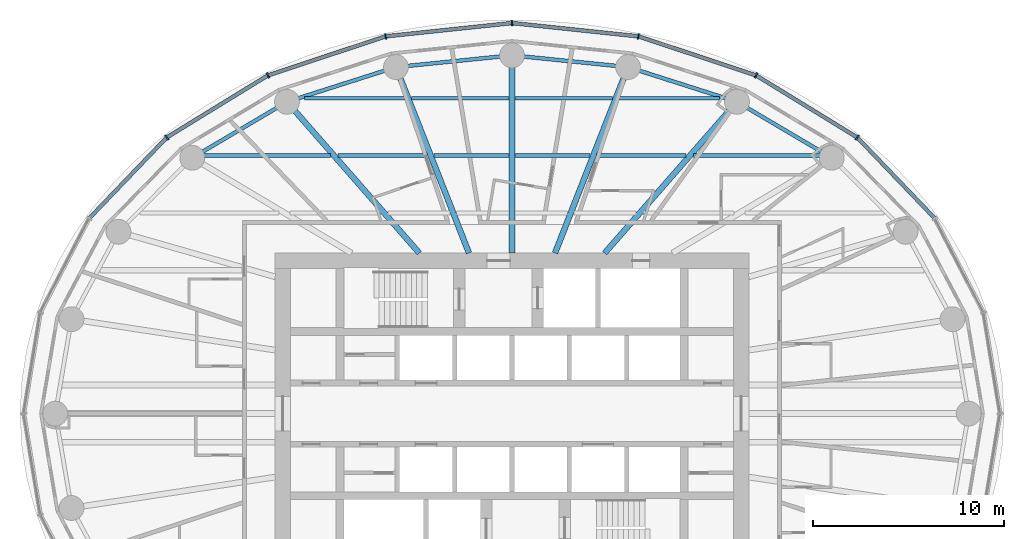
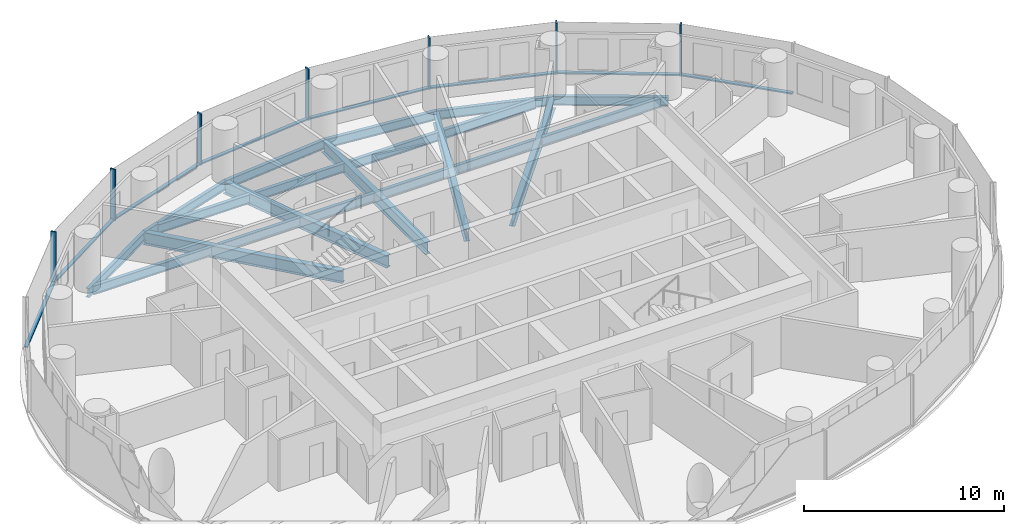
# One storey, part 4 of 13: 21 beams, 15 members, 2 elements without a shape of their own.
"""IFC4 building model written with IfcOpenShell, lengths in metres."""

from ifc_helpers import new_model, si_unit, direction, frame, origin, origin_2d, place, context, subcontext, project, spatial, rectangle, i_section, extrude, material, material_profile, profile_set, type_object, element, aggregate, save


model = new_model("IFC4")

# Units and contexts
model_context = context("Model", 3, precision=1e-05, world=origin(), true_north=direction((0.0, 1.0)))
body_context = subcontext(model_context, "Body", "Model", "MODEL_VIEW")
ifc_project = project(units=[si_unit("LENGTHUNIT", "METRE"), si_unit("AREAUNIT", "SQUARE_METRE"), si_unit("VOLUMEUNIT", "CUBIC_METRE"), si_unit("PLANEANGLEUNIT", "RADIAN"), si_unit("MASSUNIT", "GRAM", prefix="KILO")], contexts=[model_context])

# Site, building, storey
site_placement = place(None, origin())
site = spatial("IfcSite", under=ifc_project, at=site_placement, CompositionType="ELEMENT")
building_placement = place(site_placement, origin())
building = spatial("IfcBuilding", under=site, at=building_placement, Name="Hankou Lantern Tower", CompositionType="ELEMENT")
storey_placement = place(building_placement, frame((0.0, 0.0, 122.10009765625)))
storey = spatial("IfcBuildingStorey", under=building, at=storey_placement, Name="L31", CompositionType="ELEMENT", Elevation=122.10009765625)

# Beams
ifc_material_1 = material(Name="Steel Q355B", Category="steel")
ifc_material_profile_1 = material_profile(ifc_material_1, i_section(OverallWidth=0.199951171875, OverallDepth=0.550048828125, WebThickness=0.010009765625, FlangeThickness=0.01611328125, FilletRadius=0.012939453125, at=origin_2d()), Name="HN550x200x10x16")
ifc_profile_set_1 = profile_set([ifc_material_profile_1], Name="Steel Q355B")
beam_type_1 = type_object("IfcBeamType", Name="EB6 RING BEAM HN550x200x10x16", PredefinedType="SPANDREL", material=ifc_profile_set_1)
beam_1_placement = place(storey_placement, frame((16.73388671875, 13.38720703125, -0.455078125), z_axis=(-0.860988974188, 0.508623619513, 0.0), x_axis=(-0.508623619513, -0.860988974188, 0.0)))
element("IfcBeam", 1, at=beam_1_placement, inside=storey, type_object=beam_type_1, Name="Ring beam R04-R05 L31", PredefinedType="SPANDREL", context=body_context, shape_type="SweptSolid", body=[
    extrude(i_section(OverallWidth=0.199951171875, OverallDepth=0.550048828125, WebThickness=0.010009765625, FlangeThickness=0.01611328125, FilletRadius=0.012939453125, at=origin_2d()), origin(), (0.0, 0.0, 1.0), 5.759033203125),
])
beam_2_placement = place(storey_placement, frame((11.775390625, 16.31640625, -0.455078125), z_axis=(-0.952731090451, 0.303814860215, 0.0), x_axis=(-0.303814860215, -0.952731090451, 0.0)))
element("IfcBeam", 2, at=beam_2_placement, inside=storey, type_object=beam_type_1, Name="Ring beam R05-R06 L31", PredefinedType="SPANDREL", context=body_context, shape_type="SweptSolid", body=[
    extrude(i_section(OverallWidth=0.199951171875, OverallDepth=0.550048828125, WebThickness=0.010009765625, FlangeThickness=0.01611328125, FilletRadius=0.012939453125, at=origin_2d()), origin(), (0.0, 0.0, 1.0), 5.984375),
])
for number, where, z_axis, x_axis, name in (
    (3, (6.073974609375, 18.134521484375, -0.455078125), (-0.994905271594, 0.100814188259, 0.0), (-0.100814188259, -0.994905271594, 0.0), "Ring beam R06-R07 L31"),
    (4, (0.0, 18.75, -0.455078125), (-0.994905271594, -0.100814188259, 0.0), (0.100814188259, -0.994905271594, 0.0), "Ring beam R07-R08 L31"),
):
    element("IfcBeam", number, at=place(storey_placement, frame(where, z_axis=z_axis, x_axis=x_axis)), inside=storey, type_object=beam_type_1, Name=name, PredefinedType="SPANDREL", context=body_context, shape_type="SweptSolid", body=[
        extrude(i_section(OverallWidth=0.199951171875, OverallDepth=0.550048828125, WebThickness=0.010009765625, FlangeThickness=0.01611328125, FilletRadius=0.012939453125, at=origin_2d()), origin(), (0.0, 0.0, 1.0), 6.10498046875),
    ])
beam_3_placement = place(storey_placement, frame((-6.073974609375, 18.134521484375, -0.455078125), z_axis=(-0.952731090451, -0.303814860215, 0.0), x_axis=(0.303814860215, -0.952731090451, 0.0)))
element("IfcBeam", 5, at=beam_3_placement, inside=storey, type_object=beam_type_1, Name="Ring beam R08-R09 L31", PredefinedType="SPANDREL", context=body_context, shape_type="SweptSolid", body=[
    extrude(i_section(OverallWidth=0.199951171875, OverallDepth=0.550048828125, WebThickness=0.010009765625, FlangeThickness=0.01611328125, FilletRadius=0.012939453125, at=origin_2d()), origin(), (0.0, 0.0, 1.0), 5.984375),
])
beam_4_placement = place(storey_placement, frame((-11.775390625, 16.31640625, -0.455078125), z_axis=(-0.860988974188, -0.508623619513, 0.0), x_axis=(0.508623619513, -0.860988974188, 0.0)))
element("IfcBeam", 6, at=beam_4_placement, inside=storey, type_object=beam_type_1, Name="Ring beam R09-R10 L31", PredefinedType="SPANDREL", context=body_context, shape_type="SweptSolid", body=[
    extrude(i_section(OverallWidth=0.199951171875, OverallDepth=0.550048828125, WebThickness=0.010009765625, FlangeThickness=0.01611328125, FilletRadius=0.012939453125, at=origin_2d()), origin(), (0.0, 0.0, 1.0), 5.759033203125),
])

# Curtain wall, members
ifc_material_2 = material(Name="Glass, dark grey tinted laminated", Category="glass")
curtain_wall_type = type_object("IfcCurtainWallType", Name="CWB OUTER SKIN MID-RISE", PredefinedType="USERDEFINED", material=ifc_material_2)
curtain_wall_1_placement = place(storey_placement, origin())
curtain_wall_1 = element("IfcCurtainWall", 7, at=curtain_wall_1_placement, inside=storey, type_object=curtain_wall_type, Name="CWB L31 OS1", ObjectType="OUTER SKIN MID-RISE", PredefinedType="USERDEFINED")
ifc_material_3 = material(Name="Aluminium, black anodised", Category="aluminium")
ifc_material_profile_2 = material_profile(ifc_material_3, rectangle(XDim=0.080078125, YDim=0.300048828125, at=origin_2d()), Name="MU1 80X300")
ifc_profile_set_2 = profile_set([ifc_material_profile_2], Name="Aluminium, black anodised")
member_type_1 = type_object("IfcMemberType", Name="MU1 OUTER SKIN MULLION 80X300", PredefinedType="MULLION", material=ifc_profile_set_2)
member_1_placement = place(storey_placement, frame((18.066650390625, 14.453369140625, 0.0), z_axis=(0.0, 0.0, 1.0), x_axis=(-0.780868809444, 0.624695047553, 0.0)))
member_1 = element("IfcMember", 8, at=member_1_placement, type_object=member_type_1, Name="CWB mullion 4", PredefinedType="MULLION", context=body_context, shape_type="SweptSolid", body=[
    extrude(rectangle(XDim=0.080078125, YDim=0.300048828125, at=origin_2d()), origin(), (0.0, 0.0, 1.0), 3.119873046875),
])
member_2_placement = place(storey_placement, frame((12.77490234375, 17.70166015625, 0.0), z_axis=(0.0, 0.0, 1.0), x_axis=(-0.907841299004, 0.419313934686, 0.0)))
member_2 = element("IfcMember", 9, at=member_2_placement, type_object=member_type_1, Name="CWB mullion 5", PredefinedType="MULLION", context=body_context, shape_type="SweptSolid", body=[
    extrude(rectangle(XDim=0.080078125, YDim=0.300048828125, at=origin_2d()), origin(), (0.0, 0.0, 1.0), 3.119873046875),
])
member_3_placement = place(storey_placement, frame((6.61279296875, 19.743408203125, 0.0), z_axis=(0.0, 0.0, 1.0), x_axis=(-0.977787659625, 0.209597931016, 0.0)))
member_3 = element("IfcMember", 10, at=member_3_placement, type_object=member_type_1, Name="CWB mullion 6", PredefinedType="MULLION", context=body_context, shape_type="SweptSolid", body=[
    extrude(rectangle(XDim=0.080078125, YDim=0.300048828125, at=origin_2d()), origin(), (0.0, 0.0, 1.0), 3.119873046875),
])

curtain_wall_2_placement = place(storey_placement, origin())
curtain_wall_2 = element("IfcCurtainWall", 11, at=curtain_wall_2_placement, inside=storey, type_object=curtain_wall_type, Name="CWB L31 OS2", ObjectType="OUTER SKIN MID-RISE", PredefinedType="USERDEFINED")
member_4_placement = place(storey_placement, frame((0.0, 20.43994140625, 0.0), z_axis=(0.0, 0.0, 1.0), x_axis=(-0.994499359107, -0.104742659579, 0.0)))
member_4 = element("IfcMember", 12, at=member_4_placement, type_object=member_type_1, Name="CWB mullion 1", PredefinedType="MULLION", context=body_context, shape_type="SweptSolid", body=[
    extrude(rectangle(XDim=0.080078125, YDim=0.300048828125, at=origin_2d()), origin(), (0.0, 0.0, 1.0), 3.119873046875),
])
member_5_placement = place(storey_placement, frame((-6.61279296875, 19.743408203125, 0.0), z_axis=(0.0, 0.0, 1.0), x_axis=(-0.977787659625, -0.209597931016, 0.0)))
member_5 = element("IfcMember", 13, at=member_5_placement, type_object=member_type_1, Name="CWB mullion 2", PredefinedType="MULLION", context=body_context, shape_type="SweptSolid", body=[
    extrude(rectangle(XDim=0.080078125, YDim=0.300048828125, at=origin_2d()), origin(), (0.0, 0.0, 1.0), 3.119873046875),
])
member_6_placement = place(storey_placement, frame((-12.77490234375, 17.70166015625, 0.0), z_axis=(0.0, 0.0, 1.0), x_axis=(-0.907841299004, -0.419313934686, 0.0)))
member_6 = element("IfcMember", 14, at=member_6_placement, type_object=member_type_1, Name="CWB mullion 3", PredefinedType="MULLION", context=body_context, shape_type="SweptSolid", body=[
    extrude(rectangle(XDim=0.080078125, YDim=0.300048828125, at=origin_2d()), origin(), (0.0, 0.0, 1.0), 3.119873046875),
])
member_7_placement = place(storey_placement, frame((-18.066650390625, 14.453369140625, 0.0), z_axis=(0.0, 0.0, 1.0), x_axis=(-0.780868809444, -0.624695047553, 0.0)))
member_7 = element("IfcMember", 15, at=member_7_placement, type_object=member_type_1, Name="CWB mullion 4", PredefinedType="MULLION", context=body_context, shape_type="SweptSolid", body=[
    extrude(rectangle(XDim=0.080078125, YDim=0.300048828125, at=origin_2d()), origin(), (0.0, 0.0, 1.0), 3.119873046875),
])

# Beams
ifc_material_4 = material(Name="Steel Q355B", Category="steel")
ifc_material_profile_3 = material_profile(ifc_material_4, i_section(OverallWidth=0.300048828125, OverallDepth=0.75, WebThickness=0.012939453125, FlangeThickness=0.02392578125, FilletRadius=0.01806640625, at=origin_2d()), Name="HN750x300x13x24")
ifc_profile_set_3 = profile_set([ifc_material_profile_3], Name="Steel Q355B")
beam_type_2 = type_object("IfcBeamType", Name="RB10 RADIAL BEAM HN750x300x13x24", PredefinedType="BEAM", material=ifc_profile_set_3)
beam_5_placement = place(storey_placement, frame((4.849853515625, 8.39990234375, -0.55517578125), z_axis=(0.658429014446, 0.752642832249, 0.0), x_axis=(-0.752642832249, 0.658429014446, 0.0)))
element("IfcBeam", 16, at=beam_5_placement, inside=storey, type_object=beam_type_2, Name="Radial beam R05 L31", PredefinedType="BEAM", context=body_context, shape_type="SweptSolid", body=[
    extrude(i_section(OverallWidth=0.300048828125, OverallDepth=0.75, WebThickness=0.012939453125, FlangeThickness=0.02392578125, FilletRadius=0.01806640625, at=origin_2d()), origin(), (0.0, 0.0, 1.0), 10.518310546875),
])
beam_6_placement = place(storey_placement, frame((2.250732421875, 8.39990234375, -0.55517578125), z_axis=(0.365563535437, 0.930786388791, 0.0), x_axis=(-0.930786388791, 0.365563535437, 0.0)))
element("IfcBeam", 17, at=beam_6_placement, inside=storey, type_object=beam_type_2, Name="Radial beam R06 L31", PredefinedType="BEAM", context=body_context, shape_type="SweptSolid", body=[
    extrude(i_section(OverallWidth=0.300048828125, OverallDepth=0.75, WebThickness=0.012939453125, FlangeThickness=0.02392578125, FilletRadius=0.01806640625, at=origin_2d()), origin(), (0.0, 0.0, 1.0), 10.45849609375),
])
beam_7_placement = place(storey_placement, frame((0.0, 8.39990234375, -0.55517578125), z_axis=(0.0, 1.0, 0.0), x_axis=(-1.0, 0.0, 0.0)))
element("IfcBeam", 18, at=beam_7_placement, inside=storey, type_object=beam_type_2, Name="Radial beam R07 L31", PredefinedType="BEAM", context=body_context, shape_type="SweptSolid", body=[
    extrude(i_section(OverallWidth=0.300048828125, OverallDepth=0.75, WebThickness=0.012939453125, FlangeThickness=0.02392578125, FilletRadius=0.01806640625, at=origin_2d()), origin(), (0.0, 0.0, 1.0), 10.35009765625),
])
beam_8_placement = place(storey_placement, frame((-2.250732421875, 8.39990234375, -0.55517578125), z_axis=(-0.365563535437, 0.930786388791, 0.0), x_axis=(-0.930786388791, -0.365563535437, 0.0)))
element("IfcBeam", 19, at=beam_8_placement, inside=storey, type_object=beam_type_2, Name="Radial beam R08 L31", PredefinedType="BEAM", context=body_context, shape_type="SweptSolid", body=[
    extrude(i_section(OverallWidth=0.300048828125, OverallDepth=0.75, WebThickness=0.012939453125, FlangeThickness=0.02392578125, FilletRadius=0.01806640625, at=origin_2d()), origin(), (0.0, 0.0, 1.0), 10.45849609375),
])
beam_9_placement = place(storey_placement, frame((-4.849853515625, 8.39990234375, -0.55517578125), z_axis=(-0.658429014446, 0.752642832249, 0.0), x_axis=(-0.752642832249, -0.658429014446, 0.0)))
element("IfcBeam", 20, at=beam_9_placement, inside=storey, type_object=beam_type_2, Name="Radial beam R09 L31", PredefinedType="BEAM", context=body_context, shape_type="SweptSolid", body=[
    extrude(i_section(OverallWidth=0.300048828125, OverallDepth=0.75, WebThickness=0.012939453125, FlangeThickness=0.02392578125, FilletRadius=0.01806640625, at=origin_2d()), origin(), (0.0, 0.0, 1.0), 10.518310546875),
])
ifc_material_5 = material(Name="Steel Q355B", Category="steel")
ifc_material_profile_4 = material_profile(ifc_material_5, i_section(OverallWidth=0.199951171875, OverallDepth=0.550048828125, WebThickness=0.010009765625, FlangeThickness=0.01611328125, FilletRadius=0.012939453125, at=origin_2d()), Name="HN550x200x10x16")
ifc_profile_set_4 = profile_set([ifc_material_profile_4], Name="Steel Q355B")
beam_type_3 = type_object("IfcBeamType", Name="SB6 SECONDARY BEAM HN550x200x10x16", PredefinedType="JOIST", material=ifc_profile_set_4)
beam_10_placement = place(storey_placement, frame((-16.34619140625, 13.5, -0.455078125), z_axis=(1.0, 0.0, 0.0), x_axis=(0.0, 1.0, 0.0)))
element("IfcBeam", 21, at=beam_10_placement, inside=storey, type_object=beam_type_3, Name="Floor joist J043 L31", PredefinedType="JOIST", context=body_context, shape_type="SweptSolid", body=[
    extrude(i_section(OverallWidth=0.199951171875, OverallDepth=0.550048828125, WebThickness=0.010009765625, FlangeThickness=0.01611328125, FilletRadius=0.012939453125, at=origin_2d()), origin(), (0.0, 0.0, 1.0), 6.83544921875),
])
beam_11_placement = place(storey_placement, frame((-9.112060546875, 13.5, -0.455078125), z_axis=(1.0, 0.0, 0.0), x_axis=(0.0, 1.0, 0.0)))
element("IfcBeam", 22, at=beam_11_placement, inside=storey, type_object=beam_type_3, Name="Floor joist J044 L31", PredefinedType="JOIST", context=body_context, shape_type="SweptSolid", body=[
    extrude(i_section(OverallWidth=0.199951171875, OverallDepth=0.550048828125, WebThickness=0.010009765625, FlangeThickness=0.01611328125, FilletRadius=0.012939453125, at=origin_2d()), origin(), (0.0, 0.0, 1.0), 4.697021484375),
])
for number, where, z_axis, x_axis, name in (
    (23, (-4.092529296875, 13.5, -0.455078125), (1.0, 0.0, 0.0), (0.0, 1.0, 0.0), "Floor joist J045 L31"),
    (24, (0.14990234375, 13.5, -0.455078125), (1.0, 0.0, 0.0), (0.0, 1.0, 0.0), "Floor joist J046 L31"),
):
    element("IfcBeam", number, at=place(storey_placement, frame(where, z_axis=z_axis, x_axis=x_axis)), inside=storey, type_object=beam_type_3, Name=name, PredefinedType="JOIST", context=body_context, shape_type="SweptSolid", body=[
        extrude(i_section(OverallWidth=0.199951171875, OverallDepth=0.550048828125, WebThickness=0.010009765625, FlangeThickness=0.01611328125, FilletRadius=0.012939453125, at=origin_2d()), origin(), (0.0, 0.0, 1.0), 3.942626953125),
    ])
beam_12_placement = place(storey_placement, frame((4.4150390625, 13.5, -0.455078125), z_axis=(1.0, 0.0, 0.0), x_axis=(0.0, 1.0, 0.0)))
element("IfcBeam", 25, at=beam_12_placement, inside=storey, type_object=beam_type_3, Name="Floor joist J047 L31", PredefinedType="JOIST", context=body_context, shape_type="SweptSolid", body=[
    extrude(i_section(OverallWidth=0.199951171875, OverallDepth=0.550048828125, WebThickness=0.010009765625, FlangeThickness=0.01611328125, FilletRadius=0.012939453125, at=origin_2d()), origin(), (0.0, 0.0, 1.0), 4.697021484375),
])
beam_13_placement = place(storey_placement, frame((9.5107421875, 13.5, -0.455078125), z_axis=(1.0, 0.0, 0.0), x_axis=(0.0, 1.0, 0.0)))
element("IfcBeam", 26, at=beam_13_placement, inside=storey, type_object=beam_type_3, Name="Floor joist J048 L31", PredefinedType="JOIST", context=body_context, shape_type="SweptSolid", body=[
    extrude(i_section(OverallWidth=0.199951171875, OverallDepth=0.550048828125, WebThickness=0.010009765625, FlangeThickness=0.01611328125, FilletRadius=0.012939453125, at=origin_2d()), origin(), (0.0, 0.0, 1.0), 6.83544921875),
])
beam_14_placement = place(storey_placement, frame((-10.8701171875, 16.5, -0.455078125), z_axis=(1.0, 0.0, 0.0), x_axis=(0.0, 1.0, 0.0)))
element("IfcBeam", 27, at=beam_14_placement, inside=storey, type_object=beam_type_3, Name="Floor joist J049 L31", PredefinedType="JOIST", context=body_context, shape_type="SweptSolid", body=[
    extrude(i_section(OverallWidth=0.199951171875, OverallDepth=0.550048828125, WebThickness=0.010009765625, FlangeThickness=0.01611328125, FilletRadius=0.012939453125, at=origin_2d()), origin(), (0.0, 0.0, 1.0), 5.27685546875),
])
for number, where, z_axis, x_axis, name in (
    (28, (-5.270751953125, 16.5, -0.455078125), (1.0, 0.0, 0.0), (0.0, 1.0, 0.0), "Floor joist J050 L31"),
    (29, (0.14990234375, 16.5, -0.455078125), (1.0, 0.0, 0.0), (0.0, 1.0, 0.0), "Floor joist J051 L31"),
):
    element("IfcBeam", number, at=place(storey_placement, frame(where, z_axis=z_axis, x_axis=x_axis)), inside=storey, type_object=beam_type_3, Name=name, PredefinedType="JOIST", context=body_context, shape_type="SweptSolid", body=[
        extrude(i_section(OverallWidth=0.199951171875, OverallDepth=0.550048828125, WebThickness=0.010009765625, FlangeThickness=0.01611328125, FilletRadius=0.012939453125, at=origin_2d()), origin(), (0.0, 0.0, 1.0), 5.120849609375),
    ])
beam_15_placement = place(storey_placement, frame((5.59326171875, 16.5, -0.455078125), z_axis=(1.0, 0.0, 0.0), x_axis=(0.0, 1.0, 0.0)))
element("IfcBeam", 30, at=beam_15_placement, inside=storey, type_object=beam_type_3, Name="Floor joist J052 L31", PredefinedType="JOIST", context=body_context, shape_type="SweptSolid", body=[
    extrude(i_section(OverallWidth=0.199951171875, OverallDepth=0.550048828125, WebThickness=0.010009765625, FlangeThickness=0.01611328125, FilletRadius=0.012939453125, at=origin_2d()), origin(), (0.0, 0.0, 1.0), 5.27685546875),
])

# Member
ifc_material_6 = material(Name="Aluminium, black anodised", Category="aluminium")
ifc_material_profile_5 = material_profile(ifc_material_6, rectangle(XDim=0.199951171875, YDim=0.080078125, at=origin_2d()), Name="TR1 200X80")
ifc_profile_set_5 = profile_set([ifc_material_profile_5], Name="Aluminium, black anodised")
member_type_2 = type_object("IfcMemberType", Name="TR1 OUTER SKIN TRANSOM 200X80", PredefinedType="USERDEFINED", material=ifc_profile_set_5)
member_8_placement = place(storey_placement, frame((22.099365234375, 10.248779296875, 0.039794921875), z_axis=(-0.692226977748, 0.721679853729, 0.0), x_axis=(-0.721679853729, -0.692226977748, 0.0)))
member_8 = element("IfcMember", 31, at=member_8_placement, type_object=member_type_2, Name="CWB transom 3", ObjectType="TRANSOM", PredefinedType="USERDEFINED", context=body_context, shape_type="SweptSolid", body=[
    extrude(rectangle(XDim=0.199951171875, YDim=0.080078125, at=origin_2d()), origin(), (0.0, 0.0, 1.0), 5.785888671875),
])

member_9_placement = place(storey_placement, frame((18.032470703125, 14.47412109375, 0.039794921875), z_axis=(-0.852229492169, 0.523168130411, 0.0), x_axis=(-0.523168130411, -0.852229492169, 0.0)))
member_9 = element("IfcMember", 32, at=member_9_placement, type_object=member_type_2, Name="CWB transom 4", ObjectType="TRANSOM", PredefinedType="USERDEFINED", context=body_context, shape_type="SweptSolid", body=[
    extrude(rectangle(XDim=0.199951171875, YDim=0.080078125, at=origin_2d()), origin(), (0.0, 0.0, 1.0), 6.129150390625),
])

member_10_placement = place(storey_placement, frame((12.737060546875, 17.714111328125, 0.039794921875), z_axis=(-0.949237765745, 0.314559476225, 0.0), x_axis=(-0.314559476225, -0.949237765745, 0.0)))
member_10 = element("IfcMember", 33, at=member_10_placement, type_object=member_type_2, Name="CWB transom 5", ObjectType="TRANSOM", PredefinedType="USERDEFINED", context=body_context, shape_type="SweptSolid", body=[
    extrude(rectangle(XDim=0.199951171875, YDim=0.080078125, at=origin_2d()), origin(), (0.0, 0.0, 1.0), 6.41162109375),
])

member_11_placement = place(storey_placement, frame((6.572998046875, 19.747802734375, 0.039794921875), z_axis=(-0.994500972001, 0.10472734451, 0.0), x_axis=(-0.10472734451, -0.994500972001, 0.0)))
member_11 = element("IfcMember", 34, at=member_11_placement, type_object=member_type_2, Name="CWB transom 6", ObjectType="TRANSOM", PredefinedType="USERDEFINED", context=body_context, shape_type="SweptSolid", body=[
    extrude(rectangle(XDim=0.199951171875, YDim=0.080078125, at=origin_2d()), origin(), (0.0, 0.0, 1.0), 6.5693359375),
])

aggregate(curtain_wall_1, [member_1, member_2, member_3, member_8, member_9, member_10, member_11])

member_12_placement = place(storey_placement, frame((-0.039794921875, 20.435791015625, 0.039794921875), z_axis=(-0.994500972001, -0.10472734451, 0.0), x_axis=(0.10472734451, -0.994500972001, 0.0)))
member_12 = element("IfcMember", 35, at=member_12_placement, type_object=member_type_2, Name="CWB transom 1", ObjectType="TRANSOM", PredefinedType="USERDEFINED", context=body_context, shape_type="SweptSolid", body=[
    extrude(rectangle(XDim=0.199951171875, YDim=0.080078125, at=origin_2d()), origin(), (0.0, 0.0, 1.0), 6.5693359375),
])

member_13_placement = place(storey_placement, frame((-6.65087890625, 19.73095703125, 0.039794921875), z_axis=(-0.949237765745, -0.314559476225, 0.0), x_axis=(0.314559476225, -0.949237765745, 0.0)))
member_13 = element("IfcMember", 36, at=member_13_placement, type_object=member_type_2, Name="CWB transom 2", ObjectType="TRANSOM", PredefinedType="USERDEFINED", context=body_context, shape_type="SweptSolid", body=[
    extrude(rectangle(XDim=0.199951171875, YDim=0.080078125, at=origin_2d()), origin(), (0.0, 0.0, 1.0), 6.41162109375),
])

member_14_placement = place(storey_placement, frame((-12.80908203125, 17.6806640625, 0.039794921875), z_axis=(-0.852229492169, -0.523168130411, 0.0), x_axis=(0.523168130411, -0.852229492169, 0.0)))
member_14 = element("IfcMember", 37, at=member_14_placement, type_object=member_type_2, Name="CWB transom 3", ObjectType="TRANSOM", PredefinedType="USERDEFINED", context=body_context, shape_type="SweptSolid", body=[
    extrude(rectangle(XDim=0.199951171875, YDim=0.080078125, at=origin_2d()), origin(), (0.0, 0.0, 1.0), 6.129150390625),
])

member_15_placement = place(storey_placement, frame((-18.09423828125, 14.42431640625, 0.039794921875), z_axis=(-0.692226977748, -0.721679853729, 0.0), x_axis=(0.721679853729, -0.692226977748, 0.0)))
member_15 = element("IfcMember", 38, at=member_15_placement, type_object=member_type_2, Name="CWB transom 4", ObjectType="TRANSOM", PredefinedType="USERDEFINED", context=body_context, shape_type="SweptSolid", body=[
    extrude(rectangle(XDim=0.199951171875, YDim=0.080078125, at=origin_2d()), origin(), (0.0, 0.0, 1.0), 5.785888671875),
])

aggregate(curtain_wall_2, [member_4, member_5, member_6, member_7, member_12, member_13, member_14, member_15])

save(model, "model.ifc")
